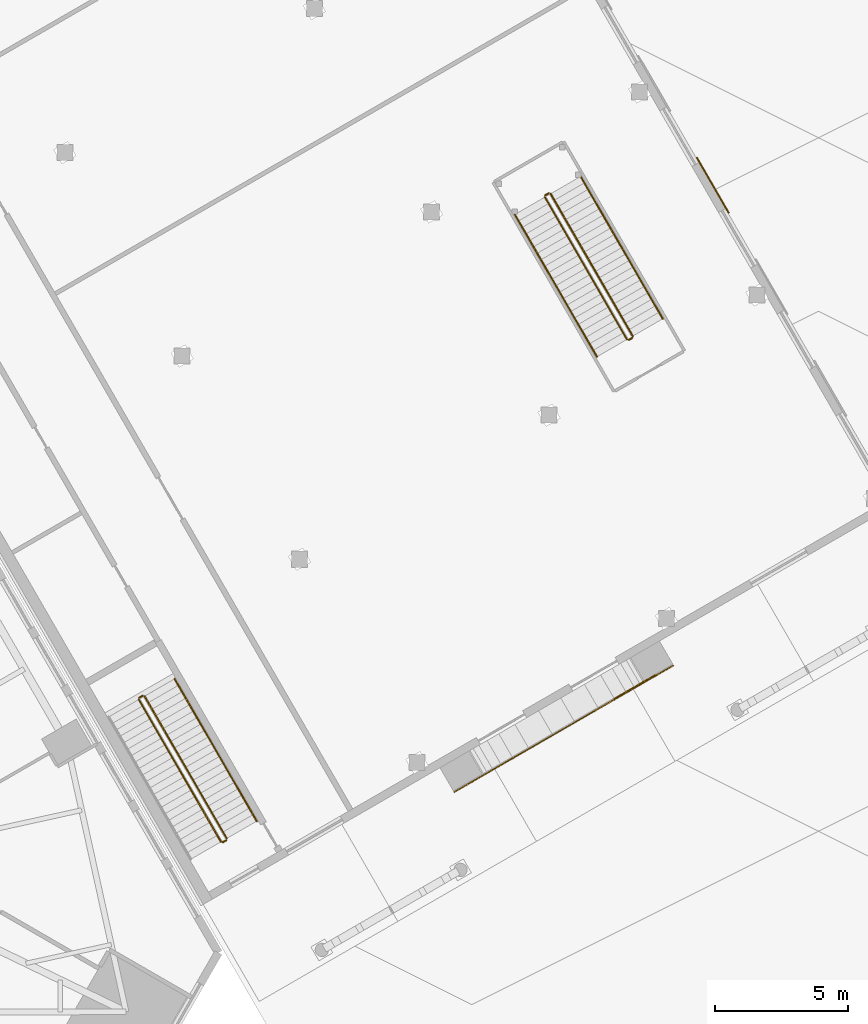
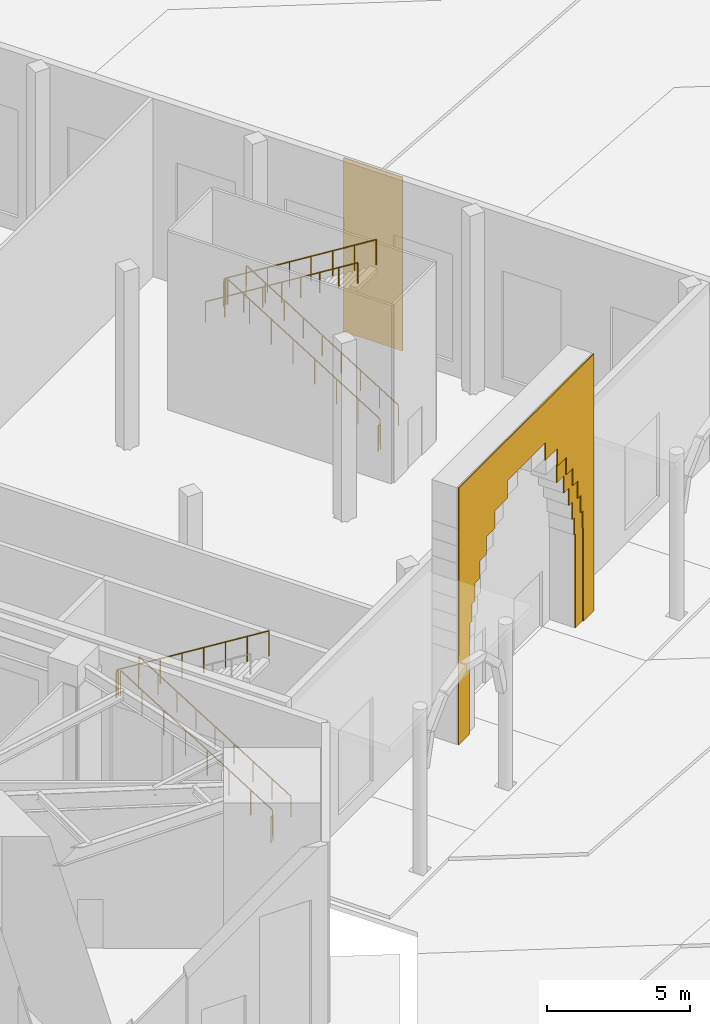
# One storey, part 28 of 34: 14 railings, 3 coverings.
"""IFC4 building model written with IfcOpenShell, lengths in metres."""

from ifc_helpers import new_model, si_unit, direction, frame, origin, origin_2d, place, context, subcontext, project, spatial, polyline, rectangle, circle, outline, extrude, material, layer, layer_set, type_object, element, save


model = new_model("IFC4")

# Units and contexts
model_context = context("Model", 3, precision=1e-05, world=origin(), true_north=direction((0.0, 1.0)))
body_context = subcontext(model_context, "Body", "Model", "MODEL_VIEW")
ifc_project = project(units=[si_unit("LENGTHUNIT", "METRE"), si_unit("AREAUNIT", "SQUARE_METRE"), si_unit("VOLUMEUNIT", "CUBIC_METRE"), si_unit("PLANEANGLEUNIT", "RADIAN"), si_unit("MASSUNIT", "GRAM", prefix="KILO")], contexts=[model_context])

# Site, building, storey
site_placement = place(None, origin())
site = spatial("IfcSite", under=ifc_project, at=site_placement, CompositionType="ELEMENT")
building_placement = place(site_placement, origin())
building = spatial("IfcBuilding", under=site, at=building_placement, Name="Firuza Gate Tower and Library", CompositionType="ELEMENT")
storey_placement = place(building_placement, origin())
storey = spatial("IfcBuildingStorey", under=building, at=storey_placement, Name="L00", CompositionType="ELEMENT", Elevation=0.0)

# Railings
ifc_material_1 = material(Name="Steel S355", Category="steel")
railing_type_1 = type_object("IfcRailingType", Name="LIB GUARD", PredefinedType="GUARDRAIL", material=ifc_material_1)
railing_1_placement = place(storey_placement, frame((107.815185546875, 64.73193359375, 0.173828125)))
element("IfcRailing", 1, at=railing_1_placement, inside=storey, type_object=railing_type_1, Name="L00 LIB-ST-B stair guard 1", PredefinedType="GUARDRAIL", context=body_context, shape_type="SweptSolid", body=[
    extrude(circle(Radius=0.02392578125, at=origin_2d()), frame((0.0, 0.0, 1.076171875), z_axis=(-0.424744733494, 0.73566084112, 0.527631536407), x_axis=(-0.866019924591, -0.500009490121, 0.0)), (0.0, 0.0, 1.0), 7.251708984375),
    extrude(circle(Radius=0.02099609375, at=origin_2d()), origin(), (0.0, 0.0, 1.0), 1.052001953125),
    extrude(circle(Radius=0.02099609375, at=origin_2d()), frame((-0.43994140625, 0.76220703125, 0.546630859375)), (0.0, 0.0, 1.0), 1.052001953125),
    extrude(circle(Radius=0.02099609375, at=origin_2d()), frame((-0.880126953125, 1.524169921875, 1.09326171875)), (0.0, 0.0, 1.0), 1.052001953125),
    extrude(circle(Radius=0.02099609375, at=origin_2d()), frame((-1.320068359375, 2.286376953125, 1.639892578125)), (0.0, 0.0, 1.0), 1.052001953125),
    extrude(circle(Radius=0.02099609375, at=origin_2d()), frame((-1.760009765625, 3.04833984375, 2.186279296875)), (0.0, 0.0, 1.0), 1.052001953125),
    extrude(circle(Radius=0.02099609375, at=origin_2d()), frame((-2.199951171875, 3.810546875, 2.73291015625)), (0.0, 0.0, 1.0), 1.052001953125),
    extrude(circle(Radius=0.02099609375, at=origin_2d()), frame((-2.64013671875, 4.572509765625, 3.279541015625)), (0.0, 0.0, 1.0), 1.052001953125),
    extrude(circle(Radius=0.02099609375, at=origin_2d()), frame((-3.080078125, 5.334716796875, 3.826171875)), (0.0, 0.0, 1.0), 1.052001953125),
])
railing_2_placement = place(storey_placement, frame((104.666748046875, 70.0849609375, 4.0)))
element("IfcRailing", 2, at=railing_2_placement, inside=storey, type_object=railing_type_1, Name="L00 LIB-ST-B stair guard 2", PredefinedType="GUARDRAIL", context=body_context, shape_type="SweptSolid", body=[
    extrude(circle(Radius=0.02392578125, at=origin_2d()), frame((0.0, 0.0, 1.076171875), z_axis=(-0.865426285481, -0.501036270542, 0.0), x_axis=(0.501036270542, -0.865426285481, 0.0)), (0.0, 0.0, 1.0), 0.150146484375),
    extrude(circle(Radius=0.02099609375, at=origin_2d()), origin(), (0.0, 0.0, 1.0), 1.052001953125),
    extrude(circle(Radius=0.02099609375, at=origin_2d()), frame((-0.1298828125, -0.0751953125, 0.0)), (0.0, 0.0, 1.0), 1.052001953125),
])
railing_3_placement = place(storey_placement, frame((104.5185546875, 69.941650390625, 4.173828125)))
element("IfcRailing", 3, at=railing_3_placement, inside=storey, type_object=railing_type_1, Name="L00 LIB-ST-B stair guard 3", PredefinedType="GUARDRAIL", context=body_context, shape_type="SweptSolid", body=[
    extrude(circle(Radius=0.02392578125, at=origin_2d()), frame((0.0, 0.0, 1.076171875), z_axis=(0.424744733494, -0.73566084112, 0.527631536407), x_axis=(0.866019924591, 0.500009490121, 0.0)), (0.0, 0.0, 1.0), 7.251708984375),
    extrude(circle(Radius=0.02099609375, at=origin_2d()), origin(), (0.0, 0.0, 1.0), 1.052001953125),
    extrude(circle(Radius=0.02099609375, at=origin_2d()), frame((0.43994140625, -0.76220703125, 0.546630859375)), (0.0, 0.0, 1.0), 1.052001953125),
    extrude(circle(Radius=0.02099609375, at=origin_2d()), frame((0.880126953125, -1.524169921875, 1.09326171875)), (0.0, 0.0, 1.0), 1.052001953125),
    extrude(circle(Radius=0.02099609375, at=origin_2d()), frame((1.320068359375, -2.286376953125, 1.639892578125)), (0.0, 0.0, 1.0), 1.052001953125),
    extrude(circle(Radius=0.02099609375, at=origin_2d()), frame((1.760009765625, -3.04833984375, 2.186279296875)), (0.0, 0.0, 1.0), 1.052001953125),
    extrude(circle(Radius=0.02099609375, at=origin_2d()), frame((2.199951171875, -3.810546875, 2.73291015625)), (0.0, 0.0, 1.0), 1.052001953125),
    extrude(circle(Radius=0.02099609375, at=origin_2d()), frame((2.64013671875, -4.572509765625, 3.279541015625)), (0.0, 0.0, 1.0), 1.052001953125),
    extrude(circle(Radius=0.02099609375, at=origin_2d()), frame((3.080078125, -5.334716796875, 3.826171875)), (0.0, 0.0, 1.0), 1.052001953125),
])
railing_4_placement = place(storey_placement, frame((107.796875, 64.66357421875, 0.0)))
element("IfcRailing", 4, at=railing_4_placement, inside=storey, type_object=railing_type_1, Name="L00 LIB-ST-B stair guard 4", PredefinedType="GUARDRAIL", context=body_context, shape_type="SweptSolid", body=[
    extrude(circle(Radius=0.02392578125, at=origin_2d()), frame((0.0, 0.0, 1.076171875), z_axis=(-0.866537231285, -0.499112439033, 0.0), x_axis=(0.499112439033, -0.866537231285, 0.0)), (0.0, 0.0, 1.0), 0.150146484375),
    extrude(circle(Radius=0.02099609375, at=origin_2d()), origin(), (0.0, 0.0, 1.0), 1.052001953125),
    extrude(circle(Radius=0.02099609375, at=origin_2d()), frame((-0.130126953125, -0.074951171875, 0.0)), (0.0, 0.0, 1.0), 1.052001953125),
])
railing_5_placement = place(storey_placement, frame((123.037353515625, 83.566162109375, 0.173828125)))
element("IfcRailing", 5, at=railing_5_placement, inside=storey, type_object=railing_type_1, Name="L00 LIB-ST-C stair guard 1", PredefinedType="GUARDRAIL", context=body_context, shape_type="SweptSolid", body=[
    extrude(circle(Radius=0.02392578125, at=origin_2d()), frame((0.0, 0.0, 1.076171875), z_axis=(-0.424744733494, 0.73566084112, 0.527631536407), x_axis=(-0.866019924591, -0.500009490121, 0.0)), (0.0, 0.0, 1.0), 7.251708984375),
    extrude(circle(Radius=0.02099609375, at=origin_2d()), origin(), (0.0, 0.0, 1.0), 1.052001953125),
    extrude(circle(Radius=0.02099609375, at=origin_2d()), frame((-0.43994140625, 0.76220703125, 0.546630859375)), (0.0, 0.0, 1.0), 1.052001953125),
    extrude(circle(Radius=0.02099609375, at=origin_2d()), frame((-0.880126953125, 1.524169921875, 1.09326171875)), (0.0, 0.0, 1.0), 1.052001953125),
    extrude(circle(Radius=0.02099609375, at=origin_2d()), frame((-1.320068359375, 2.286376953125, 1.639892578125)), (0.0, 0.0, 1.0), 1.052001953125),
    extrude(circle(Radius=0.02099609375, at=origin_2d()), frame((-1.760009765625, 3.04833984375, 2.186279296875)), (0.0, 0.0, 1.0), 1.052001953125),
    extrude(circle(Radius=0.02099609375, at=origin_2d()), frame((-2.199951171875, 3.810546875, 2.73291015625)), (0.0, 0.0, 1.0), 1.052001953125),
    extrude(circle(Radius=0.02099609375, at=origin_2d()), frame((-2.64013671875, 4.572509765625, 3.279541015625)), (0.0, 0.0, 1.0), 1.052001953125),
    extrude(circle(Radius=0.02099609375, at=origin_2d()), frame((-3.080078125, 5.334716796875, 3.826171875)), (0.0, 0.0, 1.0), 1.052001953125),
])
railing_6_placement = place(storey_placement, frame((119.888916015625, 88.919189453125, 4.0)))
element("IfcRailing", 6, at=railing_6_placement, inside=storey, type_object=railing_type_1, Name="L00 LIB-ST-C stair guard 2", PredefinedType="GUARDRAIL", context=body_context, shape_type="SweptSolid", body=[
    extrude(circle(Radius=0.02392578125, at=origin_2d()), frame((0.0, 0.0, 1.076171875), z_axis=(-0.866131372301, -0.499816412211, 0.0), x_axis=(0.499816412211, -0.866131372301, 0.0)), (0.0, 0.0, 1.0), 0.14990234375),
    extrude(circle(Radius=0.02099609375, at=origin_2d()), origin(), (0.0, 0.0, 1.0), 1.052001953125),
    extrude(circle(Radius=0.02099609375, at=origin_2d()), frame((-0.1298828125, -0.074951171875, 0.0)), (0.0, 0.0, 1.0), 1.052001953125),
])
railing_7_placement = place(storey_placement, frame((119.74072265625, 88.77587890625, 4.173828125)))
element("IfcRailing", 7, at=railing_7_placement, inside=storey, type_object=railing_type_1, Name="L00 LIB-ST-C stair guard 3", PredefinedType="GUARDRAIL", context=body_context, shape_type="SweptSolid", body=[
    extrude(circle(Radius=0.02392578125, at=origin_2d()), frame((0.0, 0.0, 1.076171875), z_axis=(0.424744733494, -0.73566084112, 0.527631536407), x_axis=(0.866019924591, 0.500009490121, 0.0)), (0.0, 0.0, 1.0), 7.251708984375),
    extrude(circle(Radius=0.02099609375, at=origin_2d()), origin(), (0.0, 0.0, 1.0), 1.052001953125),
    extrude(circle(Radius=0.02099609375, at=origin_2d()), frame((0.43994140625, -0.76220703125, 0.546630859375)), (0.0, 0.0, 1.0), 1.052001953125),
    extrude(circle(Radius=0.02099609375, at=origin_2d()), frame((0.880126953125, -1.524169921875, 1.09326171875)), (0.0, 0.0, 1.0), 1.052001953125),
    extrude(circle(Radius=0.02099609375, at=origin_2d()), frame((1.320068359375, -2.286376953125, 1.639892578125)), (0.0, 0.0, 1.0), 1.052001953125),
    extrude(circle(Radius=0.02099609375, at=origin_2d()), frame((1.760009765625, -3.04833984375, 2.186279296875)), (0.0, 0.0, 1.0), 1.052001953125),
    extrude(circle(Radius=0.02099609375, at=origin_2d()), frame((2.199951171875, -3.810546875, 2.73291015625)), (0.0, 0.0, 1.0), 1.052001953125),
    extrude(circle(Radius=0.02099609375, at=origin_2d()), frame((2.64013671875, -4.572509765625, 3.279541015625)), (0.0, 0.0, 1.0), 1.052001953125),
    extrude(circle(Radius=0.02099609375, at=origin_2d()), frame((3.080078125, -5.334716796875, 3.826171875)), (0.0, 0.0, 1.0), 1.052001953125),
])
railing_8_placement = place(storey_placement, frame((123.01904296875, 83.498046875, 0.0)))
element("IfcRailing", 8, at=railing_8_placement, inside=storey, type_object=railing_type_1, Name="L00 LIB-ST-C stair guard 4", PredefinedType="GUARDRAIL", context=body_context, shape_type="SweptSolid", body=[
    extrude(circle(Radius=0.02392578125, at=origin_2d()), frame((0.0, 0.0, 1.076171875), z_axis=(-0.865426285481, -0.501036270542, 0.0), x_axis=(0.501036270542, -0.865426285481, 0.0)), (0.0, 0.0, 1.0), 0.150146484375),
    extrude(circle(Radius=0.02099609375, at=origin_2d()), origin(), (0.0, 0.0, 1.0), 1.052001953125),
    extrude(circle(Radius=0.02099609375, at=origin_2d()), frame((-0.1298828125, -0.0751953125, 0.0)), (0.0, 0.0, 1.0), 1.052001953125),
])
ifc_material_2 = material(Name="Steel S355", Category="steel")
railing_type_2 = type_object("IfcRailingType", Name="LIB HANDRAIL", PredefinedType="HANDRAIL", material=ifc_material_2)
railing_9_placement = place(storey_placement, frame((108.94091796875, 65.3818359375, 0.173828125)))
element("IfcRailing", 9, at=railing_9_placement, inside=storey, type_object=railing_type_2, Name="L00 LIB-ST-B stair handrail 1a", PredefinedType="HANDRAIL", context=body_context, shape_type="SweptSolid", body=[
    extrude(circle(Radius=0.02392578125, at=origin_2d()), frame((0.0, 0.0, 0.8759765625), z_axis=(-0.424755253552, 0.735645393954, 0.527644604762), x_axis=(-0.866010015463, -0.500026652407, 0.0)), (0.0, 0.0, 1.0), 3.625732421875),
    extrude(circle(Radius=0.02099609375, at=origin_2d()), origin(), (0.0, 0.0, 1.0), 0.851806640625),
    extrude(circle(Radius=0.02099609375, at=origin_2d()), frame((-0.385009765625, 0.666748046875, 0.478271484375)), (0.0, 0.0, 1.0), 0.851806640625),
    extrude(circle(Radius=0.02099609375, at=origin_2d()), frame((-0.77001953125, 1.33349609375, 0.95654296875)), (0.0, 0.0, 1.0), 0.851806640625),
    extrude(circle(Radius=0.02099609375, at=origin_2d()), frame((-1.155029296875, 2.00048828125, 1.434814453125)), (0.0, 0.0, 1.0), 0.851806640625),
    extrude(circle(Radius=0.02099609375, at=origin_2d()), frame((-1.5400390625, 2.667236328125, 1.9130859375)), (0.0, 0.0, 1.0), 0.851806640625),
])
railing_10_placement = place(storey_placement, frame((107.40087890625, 68.049072265625, 2.0869140625)))
element("IfcRailing", 10, at=railing_10_placement, inside=storey, type_object=railing_type_2, Name="L00 LIB-ST-B stair handrail 1b", PredefinedType="HANDRAIL", context=body_context, shape_type="SweptSolid", body=[
    extrude(circle(Radius=0.02392578125, at=origin_2d()), frame((0.0, 0.0, 0.8759765625), z_axis=(-0.424734213735, 0.735676287139, 0.527618468426), x_axis=(-0.866029832698, -0.499992328818, 0.0)), (0.0, 0.0, 1.0), 3.6259765625),
    extrude(circle(Radius=0.02099609375, at=origin_2d()), origin(), (0.0, 0.0, 1.0), 0.851806640625),
    extrude(circle(Radius=0.02099609375, at=origin_2d()), frame((-0.385009765625, 0.6669921875, 0.478271484375)), (0.0, 0.0, 1.0), 0.851806640625),
    extrude(circle(Radius=0.02099609375, at=origin_2d()), frame((-0.77001953125, 1.333740234375, 0.95654296875)), (0.0, 0.0, 1.0), 0.851806640625),
    extrude(circle(Radius=0.02099609375, at=origin_2d()), frame((-1.155029296875, 2.00048828125, 1.434814453125)), (0.0, 0.0, 1.0), 0.851806640625),
    extrude(circle(Radius=0.02099609375, at=origin_2d()), frame((-1.5400390625, 2.66748046875, 1.9130859375)), (0.0, 0.0, 1.0), 0.851806640625),
])
railing_11_placement = place(storey_placement, frame((124.1630859375, 84.21630859375, 0.173828125)))
element("IfcRailing", 11, at=railing_11_placement, inside=storey, type_object=railing_type_2, Name="L00 LIB-ST-C stair handrail 1a", PredefinedType="HANDRAIL", context=body_context, shape_type="SweptSolid", body=[
    extrude(circle(Radius=0.02392578125, at=origin_2d()), frame((0.0, 0.0, 0.8759765625), z_axis=(-0.424755253552, 0.735645393954, 0.527644604762), x_axis=(-0.866010015463, -0.500026652407, 0.0)), (0.0, 0.0, 1.0), 3.625732421875),
    extrude(circle(Radius=0.02099609375, at=origin_2d()), origin(), (0.0, 0.0, 1.0), 0.851806640625),
    extrude(circle(Radius=0.02099609375, at=origin_2d()), frame((-0.385009765625, 0.666748046875, 0.478271484375)), (0.0, 0.0, 1.0), 0.851806640625),
    extrude(circle(Radius=0.02099609375, at=origin_2d()), frame((-0.77001953125, 1.33349609375, 0.95654296875)), (0.0, 0.0, 1.0), 0.851806640625),
    extrude(circle(Radius=0.02099609375, at=origin_2d()), frame((-1.155029296875, 2.00048828125, 1.434814453125)), (0.0, 0.0, 1.0), 0.851806640625),
    extrude(circle(Radius=0.02099609375, at=origin_2d()), frame((-1.5400390625, 2.667236328125, 1.9130859375)), (0.0, 0.0, 1.0), 0.851806640625),
])
railing_12_placement = place(storey_placement, frame((122.623046875, 86.883544921875, 2.0869140625)))
element("IfcRailing", 12, at=railing_12_placement, inside=storey, type_object=railing_type_2, Name="L00 LIB-ST-C stair handrail 1b", PredefinedType="HANDRAIL", context=body_context, shape_type="SweptSolid", body=[
    extrude(circle(Radius=0.02392578125, at=origin_2d()), frame((0.0, 0.0, 0.8759765625), z_axis=(-0.424734213735, 0.735676287139, 0.527618468426), x_axis=(-0.866029832698, -0.499992328818, 0.0)), (0.0, 0.0, 1.0), 3.6259765625),
    extrude(circle(Radius=0.02099609375, at=origin_2d()), origin(), (0.0, 0.0, 1.0), 0.851806640625),
    extrude(circle(Radius=0.02099609375, at=origin_2d()), frame((-0.385009765625, 0.6669921875, 0.478271484375)), (0.0, 0.0, 1.0), 0.851806640625),
    extrude(circle(Radius=0.02099609375, at=origin_2d()), frame((-0.77001953125, 1.333740234375, 0.95654296875)), (0.0, 0.0, 1.0), 0.851806640625),
    extrude(circle(Radius=0.02099609375, at=origin_2d()), frame((-1.155029296875, 2.00048828125, 1.434814453125)), (0.0, 0.0, 1.0), 0.851806640625),
    extrude(circle(Radius=0.02099609375, at=origin_2d()), frame((-1.5400390625, 2.66748046875, 1.9130859375)), (0.0, 0.0, 1.0), 0.851806640625),
])
railing_13_placement = place(storey_placement, frame((118.614990234375, 88.1259765625, 4.173828125)))
element("IfcRailing", 13, at=railing_13_placement, inside=storey, type_object=railing_type_2, Name="L00 LIB-ST-C stair handrail 2a", PredefinedType="HANDRAIL", context=body_context, shape_type="SweptSolid", body=[
    extrude(circle(Radius=0.02392578125, at=origin_2d()), frame((0.0, 0.0, 0.8759765625), z_axis=(0.424734213735, -0.735676287139, 0.527618468426), x_axis=(0.866029832698, 0.499992328818, 0.0)), (0.0, 0.0, 1.0), 3.6259765625),
    extrude(circle(Radius=0.02099609375, at=origin_2d()), origin(), (0.0, 0.0, 1.0), 0.851806640625),
    extrude(circle(Radius=0.02099609375, at=origin_2d()), frame((0.385009765625, -0.6669921875, 0.478271484375)), (0.0, 0.0, 1.0), 0.851806640625),
    extrude(circle(Radius=0.02099609375, at=origin_2d()), frame((0.77001953125, -1.333740234375, 0.95654296875)), (0.0, 0.0, 1.0), 0.851806640625),
    extrude(circle(Radius=0.02099609375, at=origin_2d()), frame((1.155029296875, -2.00048828125, 1.434814453125)), (0.0, 0.0, 1.0), 0.851806640625),
    extrude(circle(Radius=0.02099609375, at=origin_2d()), frame((1.5400390625, -2.66748046875, 1.9130859375)), (0.0, 0.0, 1.0), 0.851806640625),
])
railing_14_placement = place(storey_placement, frame((120.155029296875, 85.45849609375, 6.0869140625)))
element("IfcRailing", 14, at=railing_14_placement, inside=storey, type_object=railing_type_2, Name="L00 LIB-ST-C stair handrail 2b", PredefinedType="HANDRAIL", context=body_context, shape_type="SweptSolid", body=[
    extrude(circle(Radius=0.02392578125, at=origin_2d()), frame((0.0, 0.0, 0.8759765625), z_axis=(0.424700063776, -0.735666433606, 0.527659695537), x_axis=(0.866044340336, 0.499967199496, 0.0)), (0.0, 0.0, 1.0), 3.62548828125),
    extrude(circle(Radius=0.02099609375, at=origin_2d()), origin(), (0.0, 0.0, 1.0), 0.851806640625),
    extrude(circle(Radius=0.02099609375, at=origin_2d()), frame((0.385009765625, -0.666748046875, 0.478271484375)), (0.0, 0.0, 1.0), 0.851806640625),
    extrude(circle(Radius=0.02099609375, at=origin_2d()), frame((0.77001953125, -1.33349609375, 0.95654296875)), (0.0, 0.0, 1.0), 0.851806640625),
    extrude(circle(Radius=0.02099609375, at=origin_2d()), frame((1.15478515625, -2.00048828125, 1.434814453125)), (0.0, 0.0, 1.0), 0.851806640625),
    extrude(circle(Radius=0.02099609375, at=origin_2d()), frame((1.539794921875, -2.667236328125, 1.9130859375)), (0.0, 0.0, 1.0), 0.851806640625),
])

# Coverings
ifc_material_3 = material(Name="Cobalt glazed ceramic tile")
ifc_layer_1 = layer(ifc_material_3, 0.0400390625)
ifc_layer_set_1 = layer_set([ifc_layer_1], Name="LIB PISHTAQ TILE COBALT")
covering_type_1 = type_object("IfcCoveringType", Name="LIB PISHTAQ TILE COBALT", PredefinedType="CLADDING", material=ifc_layer_set_1)
covering_1_placement = place(storey_placement, frame((123.907470703125, 70.85888671875, 4.0), z_axis=(0.500114974372, -0.86595901263, 2.9215831e-05), x_axis=(-0.865959013002, -0.500114974582, 1.33968e-07)))
element("IfcCovering", 15, at=covering_1_placement, inside=storey, type_object=covering_type_1, Name="Pishtaq cobalt tile border", PredefinedType="CLADDING", context=body_context, shape_type="SweptSolid", body=[
    extrude(outline(polyline([(0.0, 0.0), (0.04330268695446131, 1.0587911840678754e-22), (0.043302787430476046, -0.7499999996799064), (0.17533403161907557, -0.749999977561889), (0.17533413209509033, -1.4999999772417953), (0.4016325502278558, -1.4999999515848952), (0.4016326507038706, -2.2499999512648015), (0.7334959175541454, -2.249999905259325), (0.7334960180301602, -2.9999999049392314), (1.190696490514892, -2.999999848317107), (1.1906965909909069, -3.7499998479970134), (1.7963417675982924, -3.749999763948547), (1.7963416671222776, -2.9999997642686407), (1.2930810770338927, -2.999999832392134), (1.2930809765578781, -2.249999832712228), (0.9322380803522539, -2.249999879602425), (0.9322379798762391, -1.4999998799225187), (0.6881027277887277, -1.4999999117724636), (0.688102627312713, -0.7499999120925573), (0.5465633775188609, -0.7499999315564126), (0.5465632770428461, 6.812349370097463e-08), (0.4998689121152173, 6.723877300355913e-08), (0.4998683762431387, 4.000000065531607), (-5.358720786135789e-07, 3.999999998292834), (0.0, 0.0)])), origin(), (0.0, 0.0, -1.0), 0.0400390625),
])
ifc_material_4 = material(Name="Turquoise glazed ceramic tile")
ifc_layer_2 = layer(ifc_material_4, 0.0400390625)
ifc_layer_set_2 = layer_set([ifc_layer_2], Name="LIB PISHTAQ TILE TURQUOISE")
covering_type_2 = type_object("IfcCoveringType", Name="LIB PISHTAQ TILE TURQUOISE", PredefinedType="CLADDING", material=ifc_layer_set_2)
covering_2_placement = place(storey_placement, frame((124.556884765625, 71.23388671875, 0.0), z_axis=(-0.500023972971, 0.866011562439, 1.3256256e-05), x_axis=(6.628446e-06, -1.1480071e-05, 0.999999999912)))
element("IfcCovering", 16, at=covering_2_placement, inside=storey, type_object=covering_type_2, Name="Pishtaq turquoise tile face", PredefinedType="CLADDING", context=body_context, shape_type="SweptSolid", body=[
    extrude(outline(polyline([(0.0, 0.0), (10.999999999033495, 0.0), (10.999999996810475, -9.499834973784774), (-2.2230196259034776e-09, -9.499834973784774), (-2.64372388279646e-09, -8.749925896919075), (3.9999999970048195, -8.749925896919075), (3.9999999967739446, -8.706501113172566), (4.749999996708046, -8.706501113172566), (4.749999994514051, -8.574469885647114), (5.499999994448154, -8.574469885647114), (5.499999997865526, -8.347960023398995), (6.249999997799628, -8.347960023398995), (6.249999996635672, -8.016096763943239), (6.999999996569773, -8.016096763943239), (6.999999996414549, -7.559107705940447), (7.749999996348651, -7.559107705940447), (7.749999994568506, -6.940229342291952), (8.499999994502605, -6.940229342291952), (8.499999996090569, -6.082152848912042), (9.249999996024671, -6.082152848912042), (9.249999998942343, -3.417348620103314), (8.49999999900824, -3.417348620103314), (8.49999999897793, -2.5594835553275344), (7.74999999904383, -2.5594835553275344), (7.749999997263684, -1.9406051916790394), (6.9999999973295814, -1.9406051916790394), (6.99999999879263, -1.4834047050721173), (6.249999998858528, -1.4834047050721173), (6.249999997694572, -1.151541445616361), (5.4999999977604705, -1.151541445616361), (5.49999999955957, -0.925243011972372), (4.749999999625468, -0.925243011972372), (4.749999997431472, -0.7932117844469195), (3.9999999974973712, -0.7932117844469195), (4.000000000069248, -0.7499090768656975), (4.2070425688959406e-10, -0.7499090768656975), (0.0, 0.0)])), origin(), (0.0, 0.0, -1.0), 0.0400390625),
])
ifc_material_5 = material(Name="Turquoise glazed ceramic tile")
ifc_layer_3 = layer(ifc_material_5, 0.050048828125)
ifc_layer_set_3 = layer_set([ifc_layer_3], Name="LIB TILE CLADDING")
covering_type_3 = type_object("IfcCoveringType", Name="LIB TILE CLADDING", PredefinedType="CLADDING", material=ifc_layer_set_3)
covering_3_placement = place(storey_placement, frame((126.035400390625, 89.223388671875, 0.10009765625), z_axis=(0.0, 0.0, 1.0), x_axis=(-0.5, 0.866025403784, 0.0)))
element("IfcCovering", 17, at=covering_3_placement, inside=storey, type_object=covering_type_3, Name="L00 TILE panel 3", PredefinedType="CLADDING", context=body_context, shape_type="SweptSolid", body=[
    extrude(rectangle(XDim=2.39990234375, YDim=0.050048828125, at=origin_2d()), origin(), (0.0, 0.0, 1.0), 7.43994140625),
])

save(model, "model.ifc")
